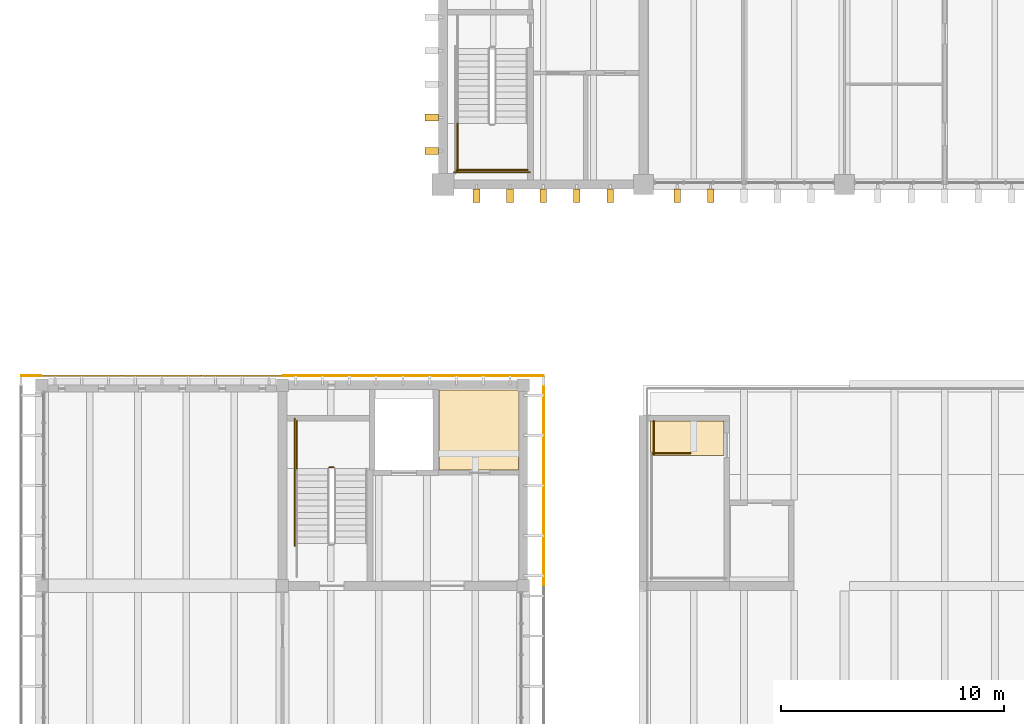
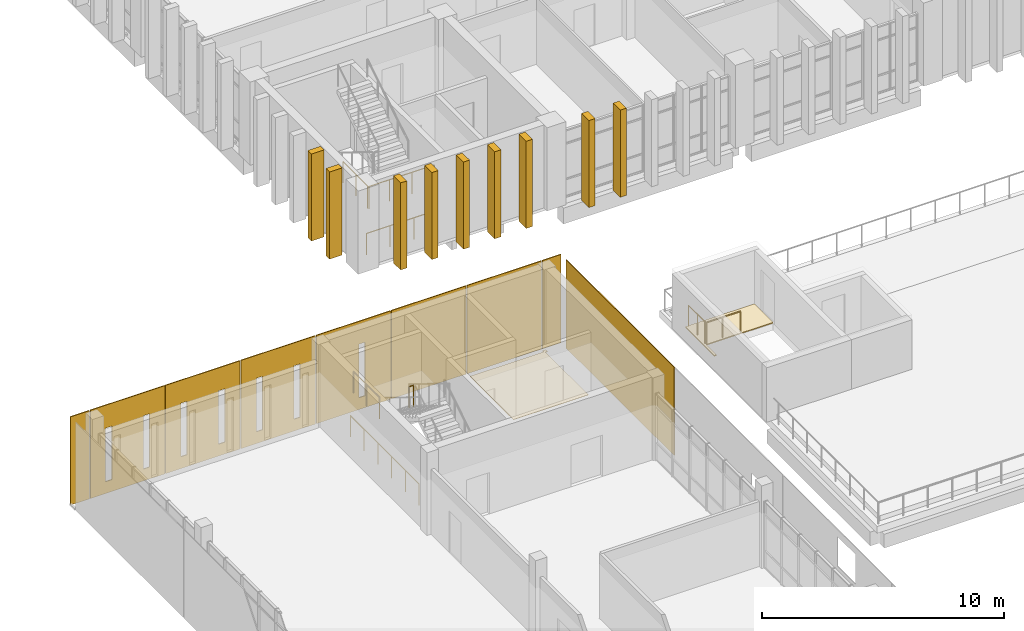
# One storey, part 70 of 74: 11 coverings, 9 shading devices, 8 railings.
"""IFC4 building model written with IfcOpenShell, lengths in metres."""

import ifcopenshell
import ifcopenshell.guid

model = None  # the IFC model being written
_history = None  # IfcOwnerHistory: only IFC2X3 demands one
_inside = {}  # id of a spatial element -> (the spatial element, [elements in it])
_under = {}  # id of a project, library or spatial element -> (it, [spatial elements below it])
_declared = {}  # id of a project -> (the project, [libraries it declares])
_typed = {}  # id of a type object -> (the type object, [elements of that type])
_made_of = {}  # id of a material, layer set ... -> (it, [elements and type objects made of it])


def new_model(schema):
    """Start an empty IFC model of exactly this schema.

    Asked for "IFC4X3", IfcOpenShell would pick the latest addendum, in which some entities
    have other attributes; the version numbers below select the first issue.
    IFC2X3 requires an IfcOwnerHistory on every rooted entity: one is made here for all.
    """
    global model, _history
    if schema == "IFC4X3":
        model = ifcopenshell.file(schema_version=(4, 3, 0, 0))
    else:
        model = ifcopenshell.file(schema=schema)
    _inside.clear()
    _under.clear()
    _declared.clear()
    _typed.clear()
    _made_of.clear()
    _history = None
    if model.schema == "IFC2X3":
        org = make("IfcOrganization", Name="unknown")
        user = make(
            "IfcPersonAndOrganization",
            ThePerson=make("IfcPerson", FamilyName="unknown"),
            TheOrganization=org,
        )
        app = make(
            "IfcApplication",
            ApplicationDeveloper=org,
            Version="unknown",
            ApplicationFullName="unknown",
            ApplicationIdentifier="unknown",
        )
        _history = make(
            "IfcOwnerHistory",
            OwningUser=user,
            OwningApplication=app,
            ChangeAction="ADDED",
            CreationDate=0,
        )
    return model


def make(cls, **values):
    """One entity of the class cls with the attributes given. An attribute that is None is left unset."""
    return model.create_entity(
        cls, **{name: value for name, value in values.items() if value is not None}
    )


def rooted(cls, **values):
    """An entity with a GlobalId (a new one), such as an element, a storey or a relation."""
    return make(cls, GlobalId=ifcopenshell.guid.new(), OwnerHistory=_history, **values)


def si_unit(unit_type, name, prefix=None):
    """IfcSIUnit, for example si_unit("LENGTHUNIT", "METRE", prefix="MILLI")."""
    return make("IfcSIUnit", UnitType=unit_type, Prefix=prefix, Name=name)


def assignment(units):
    """IfcUnitAssignment: the units of a project."""
    return None if units is None else make("IfcUnitAssignment", Units=units)


def point(xyz):
    """IfcCartesianPoint."""
    return None if xyz is None else make("IfcCartesianPoint", Coordinates=xyz)


def direction(xyz):
    """IfcDirection."""
    return None if xyz is None else make("IfcDirection", DirectionRatios=xyz)


def frame(location, z_axis=None, x_axis=None):
    """IfcAxis2Placement3D, a coordinate frame: its origin and axes. An axis left out is left unset."""
    return make(
        "IfcAxis2Placement3D",
        Location=point(location),
        Axis=direction(z_axis),
        RefDirection=direction(x_axis),
    )


def frame_2d(location, x_axis=None):
    """IfcAxis2Placement2D, a coordinate frame in the plane: its origin and x axis."""
    return make(
        "IfcAxis2Placement2D", Location=point(location), RefDirection=direction(x_axis)
    )


def origin():
    """The frame at (0, 0, 0) with its axes left unset."""
    return frame((0.0, 0.0, 0.0))


def origin_2d():
    """The frame at (0, 0) in the plane with its x axis left unset."""
    return frame_2d((0.0, 0.0))


def place(relative_to, where):
    """IfcLocalPlacement: puts the frame where relative to a parent placement (None: the world)."""
    return make(
        "IfcLocalPlacement", PlacementRelTo=relative_to, RelativePlacement=where
    )


def context(
    kind, dimensions, precision=None, world=None, true_north=None, identifier=None
):
    """IfcGeometricRepresentationContext, for example the 3D "Model" context."""
    return make(
        "IfcGeometricRepresentationContext",
        ContextIdentifier=identifier,
        ContextType=kind,
        CoordinateSpaceDimension=dimensions,
        Precision=precision,
        WorldCoordinateSystem=world,
        TrueNorth=true_north,
    )


def subcontext(parent, identifier, kind, view, scale=None):
    """IfcGeometricRepresentationSubContext, for example "Body" below "Model"."""
    return make(
        "IfcGeometricRepresentationSubContext",
        ContextIdentifier=identifier,
        ContextType=kind,
        ParentContext=parent,
        TargetScale=scale,
        TargetView=view,
    )


def project(units=None, contexts=None):
    """IfcProject with its units and contexts."""
    return rooted(
        "IfcProject",
        Name="project",
        RepresentationContexts=contexts,
        UnitsInContext=assignment(units),
    )


def spatial(cls, under=None, at=None, **own):
    """A site, building, storey or space (cls), placed at a placement, below another one or the project."""
    s = rooted(cls, ObjectPlacement=at, **own)
    if under is not None:
        _under.setdefault(under.id(), (under, []))[1].append(s)
    return s


def polyline(points):
    """IfcPolyline through the points."""
    return make("IfcPolyline", Points=[point(p) for p in points])


def profile(cls, at=None, kind="AREA", **sizes):
    """A parametric profile (cls). Its sizes go by their IFC names, for example OverallWidth=200.0."""
    return make(cls, ProfileType=kind, Position=at, **sizes)


def circle(**sizes):
    """IfcCircleProfileDef."""
    return profile("IfcCircleProfileDef", **sizes)


def outline(outer, holes=None, kind="AREA"):
    """IfcArbitraryClosedProfileDef: a profile drawn as a closed curve; with holes, ...WithVoids."""
    if holes is None:
        return make("IfcArbitraryClosedProfileDef", ProfileType=kind, OuterCurve=outer)
    return make(
        "IfcArbitraryProfileDefWithVoids",
        ProfileType=kind,
        OuterCurve=outer,
        InnerCurves=holes,
    )


def extrude(swept, where, along, depth):
    """IfcExtrudedAreaSolid: the profile swept, set in the frame where, extruded along a direction by depth."""
    return make(
        "IfcExtrudedAreaSolid",
        SweptArea=swept,
        Position=where,
        ExtrudedDirection=direction(along),
        Depth=depth,
    )


def shape(context_of_items, identifier, shape_type, items):
    """IfcShapeRepresentation: the items that make up one representation, for example the "Body"."""
    return make(
        "IfcShapeRepresentation",
        ContextOfItems=context_of_items,
        RepresentationIdentifier=identifier,
        RepresentationType=shape_type,
        Items=items,
    )


def source(mapping_origin, context_of_items, identifier, shape_type, items):
    """IfcRepresentationMap: a shape defined once, which mapped items show again and again."""
    return make(
        "IfcRepresentationMap",
        MappingOrigin=mapping_origin,
        MappedRepresentation=shape(context_of_items, identifier, shape_type, items),
    )


def transform(
    local_origin,
    x_axis=None,
    y_axis=None,
    z_axis=None,
    scale=None,
    scale2=None,
    scale3=None,
    uniform=True,
):
    """IfcCartesianTransformationOperator3D, or its non-uniform kind. x_axis, y_axis, z_axis: its Axis1, 2, 3."""
    if uniform:
        return make(
            "IfcCartesianTransformationOperator3D",
            Axis1=direction(x_axis),
            Axis2=direction(y_axis),
            LocalOrigin=point(local_origin),
            Scale=scale,
            Axis3=direction(z_axis),
        )
    return make(
        "IfcCartesianTransformationOperator3DnonUniform",
        Axis1=direction(x_axis),
        Axis2=direction(y_axis),
        LocalOrigin=point(local_origin),
        Scale=scale,
        Axis3=direction(z_axis),
        Scale2=scale2,
        Scale3=scale3,
    )


def mapped(mapping_source, mapping_target):
    """IfcMappedItem: shows the shape of a source again, moved by a transform."""
    return make(
        "IfcMappedItem", MappingSource=mapping_source, MappingTarget=mapping_target
    )


def material(Name=None, Category=None):
    """IfcMaterial."""
    return make("IfcMaterial", Name=Name, Category=Category)


def layer(
    of_material, thickness, ventilated=None, Name=None, Category=None, Priority=None
):
    """IfcMaterialLayer: one layer of a wall or slab, of a material (None: an air gap)."""
    return make(
        "IfcMaterialLayer",
        Material=of_material,
        LayerThickness=thickness,
        IsVentilated=ventilated,
        Name=Name,
        Category=Category,
        Priority=Priority,
    )


def layer_set(layers, Name=None):
    """IfcMaterialLayerSet."""
    return make("IfcMaterialLayerSet", MaterialLayers=layers, LayerSetName=Name)


def made_of(thing, what):
    """Note that an element or type object is made of a material, layer set ...; save() writes the relation."""
    if what is not None:
        _made_of.setdefault(what.id(), (what, []))[1].append(thing)
    return thing


def type_object(cls, material=None, **own):
    """A type object (cls), such as IfcWallType, which elements share."""
    return made_of(rooted(cls, **own), material)


def element(
    cls,
    number,
    at=None,
    inside=None,
    cuts=None,
    type_object=None,
    material=None,
    context=None,
    identifier="Body",
    shape_type=None,
    held_by="IfcProductDefinitionShape",
    body=None,
    shapes=None,
    **own,
):
    """One element of the class cls, such as IfcWall. Its Tag is "e" and its number.

    at: its placement. inside: the storey or other place that contains it. cuts: it is an
    opening in that element (IfcRelVoidsElement). A single representation is given by context,
    identifier, shape_type and body (its items); several are given by shapes. held_by: the class
    of the entity that holds the representations. save() writes the other relations.
    """
    e = rooted(cls, Tag="e%d" % number, ObjectPlacement=at, **own)
    if body is not None:
        shapes = [shape(context, identifier, shape_type, body)]
    if shapes is not None:
        e.Representation = make(held_by, Representations=shapes)
    if inside is not None:
        _inside.setdefault(inside.id(), (inside, []))[1].append(e)
    if cuts is not None:
        rooted(
            "IfcRelVoidsElement", RelatingBuildingElement=cuts, RelatedOpeningElement=e
        )
    if type_object is not None:
        _typed.setdefault(type_object.id(), (type_object, []))[1].append(e)
    return made_of(e, material)


def aggregate(whole, parts):
    """IfcRelAggregates: a whole, such as a stair, and the parts it consists of."""
    return rooted("IfcRelAggregates", RelatingObject=whole, RelatedObjects=parts)


def save(model, path):
    """Write the relations noted so far, then the file.

    IfcRelAggregates (storeys below a building ...), IfcRelContainedInSpatialStructure (elements
    in a storey), IfcRelDefinesByType, IfcRelAssociatesMaterial and IfcRelDeclares: one each for
    every whole, place, type object, material and project.
    """
    for whole, parts in _under.values():
        aggregate(whole, parts)
    for where, things in _inside.values():
        rooted(
            "IfcRelContainedInSpatialStructure",
            RelatedElements=things,
            RelatingStructure=where,
        )
    for kind, things in _typed.values():
        rooted("IfcRelDefinesByType", RelatedObjects=things, RelatingType=kind)
    for what, things in _made_of.values():
        rooted("IfcRelAssociatesMaterial", RelatedObjects=things, RelatingMaterial=what)
    for by, libraries in _declared.values():
        rooted("IfcRelDeclares", RelatingContext=by, RelatedDefinitions=libraries)
    model.write(path)


model = new_model("IFC4")

# Units and contexts
model_context = context("Model", 3, precision=1e-05, world=origin(), true_north=direction((0.0, 1.0)))
body_context = subcontext(model_context, "Body", "Model", "MODEL_VIEW")
ifc_project = project(units=[si_unit("LENGTHUNIT", "METRE"), si_unit("AREAUNIT", "SQUARE_METRE"), si_unit("VOLUMEUNIT", "CUBIC_METRE"), si_unit("PLANEANGLEUNIT", "RADIAN"), si_unit("MASSUNIT", "GRAM", prefix="KILO")], contexts=[model_context])

# Site, building, storey
site_placement = place(None, origin())
site = spatial("IfcSite", under=ifc_project, at=site_placement, CompositionType="ELEMENT")
building_placement = place(site_placement, origin())
building = spatial("IfcBuilding", under=site, at=building_placement, Name="Merrow Basin Faculty of Sciences", CompositionType="ELEMENT")
storey_placement = place(building_placement, frame((0.0, 0.0, 13.5)))
storey = spatial("IfcBuildingStorey", under=building, at=storey_placement, Name="L03", CompositionType="ELEMENT", Elevation=13.5)

# Covering
ifc_material_1 = material(Name="Carpet tile floor")
ifc_layer_1 = layer(ifc_material_1, 0.02001953125)
ifc_layer_set_1 = layer_set([ifc_layer_1], Name="Carpet tile floor")
covering_type_1 = type_object("IfcCoveringType", Name="Carpet tile floor", PredefinedType="FLOORING", material=ifc_layer_set_1)
covering_1_placement = place(storey_placement, origin())
element("IfcCovering", 1, at=covering_1_placement, inside=storey, type_object=covering_type_1, Name="Floor finish L03-B-013", PredefinedType="FLOORING", context=body_context, shape_type="SweptSolid", body=[
    extrude(outline(polyline([(21.389892578125, 129.18505859375), (17.81005859375, 129.18505859375), (17.81005859375, 132.7900390625), (21.3349609375, 132.7900390625), (21.3349609375, 132.889892578125), (21.489990234375, 132.889892578125), (21.489990234375, 132.735107421875), (21.389892578125, 132.735107421875), (21.389892578125, 129.18505859375)])), origin(), (0.0, 0.0, 1.0), 0.02001953125),
])

# Railings
ifc_material_2 = material(Name="Steel ASTM A36", Category="steel")
railing_type = type_object("IfcRailingType", Name="Steel guard 1100", PredefinedType="GUARDRAIL", material=ifc_material_2)
railing_1_placement = place(storey_placement, frame((13.10009765625, 129.31005859375, 2.25)))
element("IfcRailing", 2, at=railing_1_placement, inside=storey, type_object=railing_type, Name="L03 ST-V4-N stair guard 2", PredefinedType="GUARDRAIL", context=body_context, shape_type="SweptSolid", body=[
    extrude(circle(Radius=0.02392578125, at=origin_2d()), frame((0.0, 0.0, 1.076171875), z_axis=(-1.0, 0.0, 0.0), x_axis=(0.0, -1.0, 0.0)), (0.0, 0.0, 1.0), 0.2001953125),
    extrude(circle(Radius=0.02099609375, at=origin_2d()), origin(), (0.0, 0.0, 1.0), 1.052001953125),
    extrude(circle(Radius=0.02099609375, at=origin_2d()), frame((-0.2001953125, 0.0, 0.0)), (0.0, 0.0, 1.0), 1.052001953125),
])
railing_2_placement = place(storey_placement, frame((11.449951171875, 129.260009765625, 2.25)))
element("IfcRailing", 3, at=railing_2_placement, inside=storey, type_object=railing_type, Name="L03 ST-V4-N stair guard 3", PredefinedType="GUARDRAIL", context=body_context, shape_type="SweptSolid", body=[
    extrude(circle(Radius=0.02392578125, at=origin_2d()), frame((0.0, 0.0, 1.076171875), z_axis=(0.0, 1.0, 0.0), x_axis=(-1.0, 0.0, 0.0)), (0.0, 0.0, 1.0), 2.139892578125),
    extrude(circle(Radius=0.02099609375, at=origin_2d()), origin(), (0.0, 0.0, 1.0), 1.052001953125),
    extrude(circle(Radius=0.02099609375, at=origin_2d()), frame((0.0, 1.06982421875, 0.0)), (0.0, 0.0, 1.0), 1.052001953125),
    extrude(circle(Radius=0.02099609375, at=origin_2d()), frame((0.0, 2.139892578125, 0.0)), (0.0, 0.0, 1.0), 1.052001953125),
])
railing_3_placement = place(storey_placement, frame((11.35009765625, 125.800048828125, 0.0)))
element("IfcRailing", 4, at=railing_3_placement, inside=storey, type_object=railing_type, Name="L03 ST-V4-N stair guard 7", PredefinedType="GUARDRAIL", context=body_context, shape_type="SweptSolid", body=[
    extrude(circle(Radius=0.02392578125, at=origin_2d()), frame((0.0, 0.0, 1.076171875), z_axis=(0.0, 1.0, 0.0), x_axis=(-1.0, 0.0, 0.0)), (0.0, 0.0, 1.0), 5.699951171875),
    extrude(circle(Radius=0.02099609375, at=origin_2d()), origin(), (0.0, 0.0, 1.0), 1.052001953125),
    extrude(circle(Radius=0.02099609375, at=origin_2d()), frame((0.0, 1.139892578125, 0.0)), (0.0, 0.0, 1.0), 1.052001953125),
    extrude(circle(Radius=0.02099609375, at=origin_2d()), frame((0.0, 2.280029296875, 0.0)), (0.0, 0.0, 1.0), 1.052001953125),
    extrude(circle(Radius=0.02099609375, at=origin_2d()), frame((0.0, 3.419921875, 0.0)), (0.0, 0.0, 1.0), 1.052001953125),
    extrude(circle(Radius=0.02099609375, at=origin_2d()), frame((0.0, 4.56005859375, 0.0)), (0.0, 0.0, 1.0), 1.052001953125),
    extrude(circle(Radius=0.02099609375, at=origin_2d()), frame((0.0, 5.699951171875, 0.0)), (0.0, 0.0, 1.0), 1.052001953125),
])
railing_4_placement = place(storey_placement, frame((27.39990234375, 129.949951171875, 0.0)))
element("IfcRailing", 5, at=railing_4_placement, inside=storey, type_object=railing_type, Name="L03 ST-V2-W top well guard 1", PredefinedType="GUARDRAIL", context=body_context, shape_type="SweptSolid", body=[
    extrude(circle(Radius=0.02392578125, at=origin_2d()), frame((0.0, 0.0, 1.076171875), z_axis=(1.0, 0.0, 0.0), x_axis=(0.0, 1.0, 0.0)), (0.0, 0.0, 1.0), 1.7001953125),
    extrude(circle(Radius=0.02099609375, at=origin_2d()), origin(), (0.0, 0.0, 1.0), 1.052001953125),
    extrude(circle(Radius=0.02099609375, at=origin_2d()), frame((0.85009765625, 0.0, 0.0)), (0.0, 0.0, 1.0), 1.052001953125),
    extrude(circle(Radius=0.02099609375, at=origin_2d()), frame((1.7001953125, 0.0, 0.0)), (0.0, 0.0, 1.0), 1.052001953125),
])
railing_5_placement = place(storey_placement, frame((27.449951171875, 131.39990234375, 0.0)))
element("IfcRailing", 6, at=railing_5_placement, inside=storey, type_object=railing_type, Name="L03 ST-V2-W top well guard 4", PredefinedType="GUARDRAIL", context=body_context, shape_type="SweptSolid", body=[
    extrude(circle(Radius=0.02392578125, at=origin_2d()), frame((0.0, 0.0, 1.076171875), z_axis=(0.0, -1.0, 0.0), x_axis=(1.0, 0.0, 0.0)), (0.0, 0.0, 1.0), 1.5),
    extrude(circle(Radius=0.02099609375, at=origin_2d()), origin(), (0.0, 0.0, 1.0), 1.052001953125),
    extrude(circle(Radius=0.02099609375, at=origin_2d()), frame((0.0, -0.75, 0.0)), (0.0, 0.0, 1.0), 1.052001953125),
    extrude(circle(Radius=0.02099609375, at=origin_2d()), frame((0.0, -1.5, 0.0)), (0.0, 0.0, 1.0), 1.052001953125),
])
railing_6_placement = place(storey_placement, frame((18.64990234375, 144.739990234375, 2.25)))
element("IfcRailing", 7, at=railing_6_placement, inside=storey, type_object=railing_type, Name="L03 ST-V5-W stair guard 3", PredefinedType="GUARDRAIL", context=body_context, shape_type="SweptSolid", body=[
    extrude(circle(Radius=0.02392578125, at=origin_2d()), frame((0.0, 0.0, 1.076171875), z_axis=(0.0, -1.0, 0.0), x_axis=(1.0, 0.0, 0.0)), (0.0, 0.0, 1.0), 2.139892578125),
    extrude(circle(Radius=0.02099609375, at=origin_2d()), origin(), (0.0, 0.0, 1.0), 1.052001953125),
    extrude(circle(Radius=0.02099609375, at=origin_2d()), frame((0.0, -1.06982421875, 0.0)), (0.0, 0.0, 1.0), 1.052001953125),
    extrude(circle(Radius=0.02099609375, at=origin_2d()), frame((0.0, -2.139892578125, 0.0)), (0.0, 0.0, 1.0), 1.052001953125),
])
railing_7_placement = place(storey_placement, frame((18.60009765625, 142.64990234375, 2.25)))
element("IfcRailing", 8, at=railing_7_placement, inside=storey, type_object=railing_type, Name="L03 ST-V5-W stair guard 4", PredefinedType="GUARDRAIL", context=body_context, shape_type="SweptSolid", body=[
    extrude(circle(Radius=0.02392578125, at=origin_2d()), frame((0.0, 0.0, 1.076171875), z_axis=(1.0, 0.0, 0.0), x_axis=(0.0, 1.0, 0.0)), (0.0, 0.0, 1.0), 3.199951171875),
    extrude(circle(Radius=0.02099609375, at=origin_2d()), origin(), (0.0, 0.0, 1.0), 1.052001953125),
    extrude(circle(Radius=0.02099609375, at=origin_2d()), frame((1.066650390625, 0.0, 0.0)), (0.0, 0.0, 1.0), 1.052001953125),
    extrude(circle(Radius=0.02099609375, at=origin_2d()), frame((2.13330078125, 0.0, 0.0)), (0.0, 0.0, 1.0), 1.052001953125),
    extrude(circle(Radius=0.02099609375, at=origin_2d()), frame((3.199951171875, 0.0, 0.0)), (0.0, 0.0, 1.0), 1.052001953125),
])
railing_8_placement = place(storey_placement, frame((18.5, 142.550048828125, 0.0)))
element("IfcRailing", 9, at=railing_8_placement, inside=storey, type_object=railing_type, Name="L03 ST-V5-W stair guard 9", PredefinedType="GUARDRAIL", context=body_context, shape_type="SweptSolid", body=[
    extrude(circle(Radius=0.02392578125, at=origin_2d()), frame((0.0, 0.0, 1.076171875), z_axis=(1.0, 0.0, 0.0), x_axis=(0.0, 1.0, 0.0)), (0.0, 0.0, 1.0), 3.39990234375),
    extrude(circle(Radius=0.02099609375, at=origin_2d()), origin(), (0.0, 0.0, 1.0), 1.052001953125),
    extrude(circle(Radius=0.02099609375, at=origin_2d()), frame((1.13330078125, 0.0, 0.0)), (0.0, 0.0, 1.0), 1.052001953125),
    extrude(circle(Radius=0.02099609375, at=origin_2d()), frame((2.2666015625, 0.0, 0.0)), (0.0, 0.0, 1.0), 1.052001953125),
    extrude(circle(Radius=0.02099609375, at=origin_2d()), frame((3.39990234375, 0.0, 0.0)), (0.0, 0.0, 1.0), 1.052001953125),
])

# Coverings
ifc_material_3 = material(Name="Concrete paving slab", Category="concrete")
ifc_layer_2 = layer(ifc_material_3, 0.050048828125)
ifc_layer_set_2 = layer_set([ifc_layer_2], Name="Terrace paving 50")
covering_type_2 = type_object("IfcCoveringType", Name="Terrace paving 50", PredefinedType="FLOORING", material=ifc_layer_set_2)
covering_2_placement = place(storey_placement, origin())
element("IfcCovering", 10, at=covering_2_placement, inside=storey, type_object=covering_type_2, Name="Terrace paving", PredefinedType="FLOORING", context=body_context, shape_type="SweptSolid", body=[
    extrude(outline(polyline([(30.60009765625, 131.39990234375), (30.60009765625, 129.85009765625), (27.39990234375, 129.85009765625), (27.39990234375, 129.0), (27.300048828125, 129.0), (27.300048828125, 131.39990234375), (30.60009765625, 131.39990234375)])), origin(), (0.0, 0.0, 1.0), 0.050048828125),
])
ifc_material_4 = material(Name="White powder-coated aluminium", Category="aluminium")
ifc_layer_3 = layer(ifc_material_4, 0.0400390625)
ifc_layer_set_3 = layer_set([ifc_layer_3], Name="Perforated panel 9000 x 4500")
covering_type_3 = type_object("IfcCoveringType", Name="Perforated panel 9000 x 4500", PredefinedType="CLADDING", material=ifc_layer_set_3)
shared_shape_1 = source(origin(), body_context, "Body", "SweptSolid", [
    extrude(outline(polyline([(0.02001953125, 0.02001953125), (8.97998046875, 0.02001953125), (8.97998046875, 4.47998046875), (0.02001953125, 4.47998046875), (0.02001953125, 0.02001953125)])), origin(), (0.0, 0.0, 1.0), 0.0400390625),
])
covering_3_placement = place(storey_placement, frame((22.5400390625, 133.0, -0.320068359375), z_axis=(-1.0, 0.0, 0.0), x_axis=(0.0, -1.0, 0.0)))
element("IfcCovering", 11, at=covering_3_placement, inside=storey, type_object=covering_type_3, Name="Perforated panel EL03-08", PredefinedType="CLADDING", context=body_context, shape_type="MappedRepresentation", body=[
    mapped(shared_shape_1, transform((0.0, 0.0, 0.0), scale=1.0)),
])
ifc_material_5 = material(Name="White powder-coated aluminium", Category="aluminium")
ifc_layer_4 = layer(ifc_material_5, 0.0400390625)
ifc_layer_set_4 = layer_set([ifc_layer_4], Name="End corner panel 940 x 4500")
covering_type_4 = type_object("IfcCoveringType", Name="End corner panel 940 x 4500", PredefinedType="CLADDING", material=ifc_layer_set_4)
shared_shape_2 = source(origin(), body_context, "Body", "SweptSolid", [
    extrude(outline(polyline([(0.02001953125, 0.02001953125), (0.919921875, 0.02001953125), (0.919921875, 4.47998046875), (0.02001953125, 4.47998046875), (0.02001953125, 0.02001953125)])), origin(), (0.0, 0.0, 1.0), 0.0400390625),
])
covering_4_placement = place(storey_placement, frame((-0.93994140625, 133.43994140625, -0.320068359375), z_axis=(0.0, -1.0, 0.0), x_axis=(1.0, 0.0, 0.0)))
element("IfcCovering", 12, at=covering_4_placement, inside=storey, type_object=covering_type_4, Name="End panel NL03-01", PredefinedType="CLADDING", context=body_context, shape_type="MappedRepresentation", body=[
    mapped(shared_shape_2, transform((0.0, 0.0, 0.0), scale=1.0)),
])
ifc_material_6 = material(Name="White powder-coated aluminium", Category="aluminium")
ifc_layer_5 = layer(ifc_material_6, 0.0400390625)
ifc_layer_set_5 = layer_set([ifc_layer_5], Name="End panel 3600 x 4500")
covering_type_5 = type_object("IfcCoveringType", Name="End panel 3600 x 4500", PredefinedType="CLADDING", material=ifc_layer_set_5)
shared_shape_3 = source(origin(), body_context, "Body", "SweptSolid", [
    extrude(outline(polyline([(0.02001953125, 0.02001953125), (3.580078125, 0.02001953125), (3.580078125, 4.47998046875), (0.02001953125, 4.47998046875), (0.02001953125, 0.02001953125)]), holes=[polyline([(0.75, 0.6201171875), (1.050048828125, 0.6201171875), (1.050048828125, 3.320068359375), (0.75, 3.320068359375), (0.75, 0.6201171875)]), polyline([(2.550048828125, 0.6201171875), (2.85009765625, 0.6201171875), (2.85009765625, 3.320068359375), (2.550048828125, 3.320068359375), (2.550048828125, 0.6201171875)])]), origin(), (0.0, 0.0, 1.0), 0.0400390625),
])
covering_5_placement = place(storey_placement, frame((0.0, 133.43994140625, -0.320068359375), z_axis=(0.0, -1.0, 0.0), x_axis=(1.0, 0.0, 0.0)))
element("IfcCovering", 13, at=covering_5_placement, inside=storey, type_object=covering_type_5, Name="End panel NL03-02", PredefinedType="CLADDING", context=body_context, shape_type="MappedRepresentation", body=[
    mapped(shared_shape_3, transform((0.0, 0.0, 0.0), scale=1.0)),
])
shared_shape_4 = source(origin(), body_context, "Body", "SweptSolid", [
    extrude(outline(polyline([(0.02001953125, 0.02001953125), (3.580078125, 0.02001953125), (3.580078125, 4.47998046875), (0.02001953125, 4.47998046875), (0.02001953125, 0.02001953125)]), holes=[polyline([(0.75, 0.6201171875), (1.050048828125, 0.6201171875), (1.050048828125, 3.320068359375), (0.75, 3.320068359375), (0.75, 0.6201171875)]), polyline([(2.550048828125, 0.6201171875), (2.85009765625, 0.6201171875), (2.85009765625, 3.320068359375), (2.550048828125, 3.320068359375), (2.550048828125, 0.6201171875)])]), origin(), (0.0, 0.0, 1.0), 0.0400390625),
])
covering_6_placement = place(storey_placement, frame((3.60009765625, 133.43994140625, -0.320068359375), z_axis=(0.0, -1.0, 0.0), x_axis=(1.0, 0.0, 0.0)))
element("IfcCovering", 14, at=covering_6_placement, inside=storey, type_object=covering_type_5, Name="End panel NL03-03", PredefinedType="CLADDING", context=body_context, shape_type="MappedRepresentation", body=[
    mapped(shared_shape_4, transform((0.0, 0.0, 0.0), scale=1.0)),
])
shared_shape_5 = source(origin(), body_context, "Body", "SweptSolid", [
    extrude(outline(polyline([(0.02001953125, 0.02001953125), (3.580078125, 0.02001953125), (3.580078125, 4.47998046875), (0.02001953125, 4.47998046875), (0.02001953125, 0.02001953125)]), holes=[polyline([(0.75, 0.6201171875), (1.050048828125, 0.6201171875), (1.050048828125, 3.320068359375), (0.75, 3.320068359375), (0.75, 0.6201171875)]), polyline([(2.550048828125, 0.6201171875), (2.85009765625, 0.6201171875), (2.85009765625, 3.320068359375), (2.550048828125, 3.320068359375), (2.550048828125, 0.6201171875)])]), origin(), (0.0, 0.0, 1.0), 0.0400390625),
])
covering_7_placement = place(storey_placement, frame((7.199951171875, 133.43994140625, -0.320068359375), z_axis=(0.0, -1.0, 0.0), x_axis=(1.0, 0.0, 0.0)))
element("IfcCovering", 15, at=covering_7_placement, inside=storey, type_object=covering_type_5, Name="End panel NL03-04", PredefinedType="CLADDING", context=body_context, shape_type="MappedRepresentation", body=[
    mapped(shared_shape_5, transform((0.0, 0.0, 0.0), scale=1.0)),
])
shared_shape_6 = source(origin(), body_context, "Body", "SweptSolid", [
    extrude(outline(polyline([(0.02001953125, 0.02001953125), (3.580078125, 0.02001953125), (3.580078125, 4.47998046875), (0.02001953125, 4.47998046875), (0.02001953125, 0.02001953125)]), holes=[polyline([(2.050048828125, 0.6201171875), (2.35009765625, 0.6201171875), (2.35009765625, 3.320068359375), (2.050048828125, 3.320068359375), (2.050048828125, 0.6201171875)])]), origin(), (0.0, 0.0, 1.0), 0.0400390625),
])
covering_8_placement = place(storey_placement, frame((10.800048828125, 133.43994140625, -0.320068359375), z_axis=(0.0, -1.0, 0.0), x_axis=(1.0, 0.0, 0.0)))
element("IfcCovering", 16, at=covering_8_placement, inside=storey, type_object=covering_type_5, Name="End panel NL03-05", PredefinedType="CLADDING", context=body_context, shape_type="MappedRepresentation", body=[
    mapped(shared_shape_6, transform((0.0, 0.0, 0.0), scale=1.0)),
])
shared_shape_7 = source(origin(), body_context, "Body", "SweptSolid", [
    extrude(outline(polyline([(0.02001953125, 0.02001953125), (3.580078125, 0.02001953125), (3.580078125, 4.47998046875), (0.02001953125, 4.47998046875), (0.02001953125, 0.02001953125)])), origin(), (0.0, 0.0, 1.0), 0.0400390625),
])
covering_9_placement = place(storey_placement, frame((14.39990234375, 133.43994140625, -0.320068359375), z_axis=(0.0, -1.0, 0.0), x_axis=(1.0, 0.0, 0.0)))
element("IfcCovering", 17, at=covering_9_placement, inside=storey, type_object=covering_type_5, Name="End panel NL03-06", PredefinedType="CLADDING", context=body_context, shape_type="MappedRepresentation", body=[
    mapped(shared_shape_7, transform((0.0, 0.0, 0.0), scale=1.0)),
])
shared_shape_8 = source(origin(), body_context, "Body", "SweptSolid", [
    extrude(outline(polyline([(0.02001953125, 0.02001953125), (3.580078125, 0.02001953125), (3.580078125, 4.47998046875), (0.02001953125, 4.47998046875), (0.02001953125, 0.02001953125)])), origin(), (0.0, 0.0, 1.0), 0.0400390625),
])
covering_10_placement = place(storey_placement, frame((18.0, 133.43994140625, -0.320068359375), z_axis=(0.0, -1.0, 0.0), x_axis=(1.0, 0.0, 0.0)))
element("IfcCovering", 18, at=covering_10_placement, inside=storey, type_object=covering_type_5, Name="End panel NL03-07", PredefinedType="CLADDING", context=body_context, shape_type="MappedRepresentation", body=[
    mapped(shared_shape_8, transform((0.0, 0.0, 0.0), scale=1.0)),
])
shared_shape_9 = source(origin(), body_context, "Body", "SweptSolid", [
    extrude(outline(polyline([(0.02001953125, 0.02001953125), (0.919921875, 0.02001953125), (0.919921875, 4.47998046875), (0.02001953125, 4.47998046875), (0.02001953125, 0.02001953125)])), origin(), (0.0, 0.0, 1.0), 0.0400390625),
])
covering_11_placement = place(storey_placement, frame((21.60009765625, 133.43994140625, -0.320068359375), z_axis=(0.0, -1.0, 0.0), x_axis=(1.0, 0.0, 0.0)))
element("IfcCovering", 19, at=covering_11_placement, inside=storey, type_object=covering_type_4, Name="End panel NL03-08", PredefinedType="CLADDING", context=body_context, shape_type="MappedRepresentation", body=[
    mapped(shared_shape_9, transform((0.0, 0.0, 0.0), scale=1.0)),
])

# Shading devices
ifc_material_7 = material(Name="White precast concrete C50/60", Category="concrete")
shading_device_type = type_object("IfcShadingDeviceType", Name="White precast fin 300 x 600", PredefinedType="USERDEFINED", material=ifc_material_7)
shared_shape_10 = source(origin(), body_context, "Body", "SweptSolid", [
    extrude(outline(polyline([(0.0, 0.0), (0.300048828125, 0.0), (0.300048828125, 4.39990234375), (0.0, 4.39990234375), (0.0, 0.0)])), origin(), (0.0, 0.0, 1.0), 0.60009765625),
])
for number, where, z_axis, x_axis, name in (
    (20, (19.35009765625, 141.800048828125, -0.25), (0.0, -1.0, 0.0), (1.0, 0.0, 0.0), "Brise-soleil fin SL03"),
    (21, (20.85009765625, 141.800048828125, -0.25), (0.0, -1.0, 0.0), (1.0, 0.0, 0.0), "Brise-soleil fin SL03"),
    (22, (22.35009765625, 141.800048828125, -0.25), (0.0, -1.0, 0.0), (1.0, 0.0, 0.0), "Brise-soleil fin SL03"),
    (23, (23.85009765625, 141.800048828125, -0.25), (0.0, -1.0, 0.0), (1.0, 0.0, 0.0), "Brise-soleil fin SL03"),
    (24, (25.35009765625, 141.800048828125, -0.25), (0.0, -1.0, 0.0), (1.0, 0.0, 0.0), "Brise-soleil fin SL03"),
    (25, (28.35009765625, 141.800048828125, -0.25), (0.0, -1.0, 0.0), (1.0, 0.0, 0.0), "Brise-soleil fin SL03"),
    (26, (29.85009765625, 141.800048828125, -0.25), (0.0, -1.0, 0.0), (1.0, 0.0, 0.0), "Brise-soleil fin SL03"),
    (27, (17.800048828125, 143.64990234375, -0.25), (-1.0, 0.0, 0.0), (0.0, -1.0, 0.0), "Brise-soleil fin WL03"),
    (28, (17.800048828125, 145.14990234375, -0.25), (-1.0, 0.0, 0.0), (0.0, -1.0, 0.0), "Brise-soleil fin WL03"),
):
    element("IfcShadingDevice", number, at=place(storey_placement, frame(where, z_axis=z_axis, x_axis=x_axis)), inside=storey, type_object=shading_device_type, Name=name, ObjectType="FIN", PredefinedType="USERDEFINED", context=body_context, shape_type="MappedRepresentation", body=[
        mapped(shared_shape_10, transform((0.0, 0.0, 0.0), scale=1.0)),
    ])

save(model, "model.ifc")
